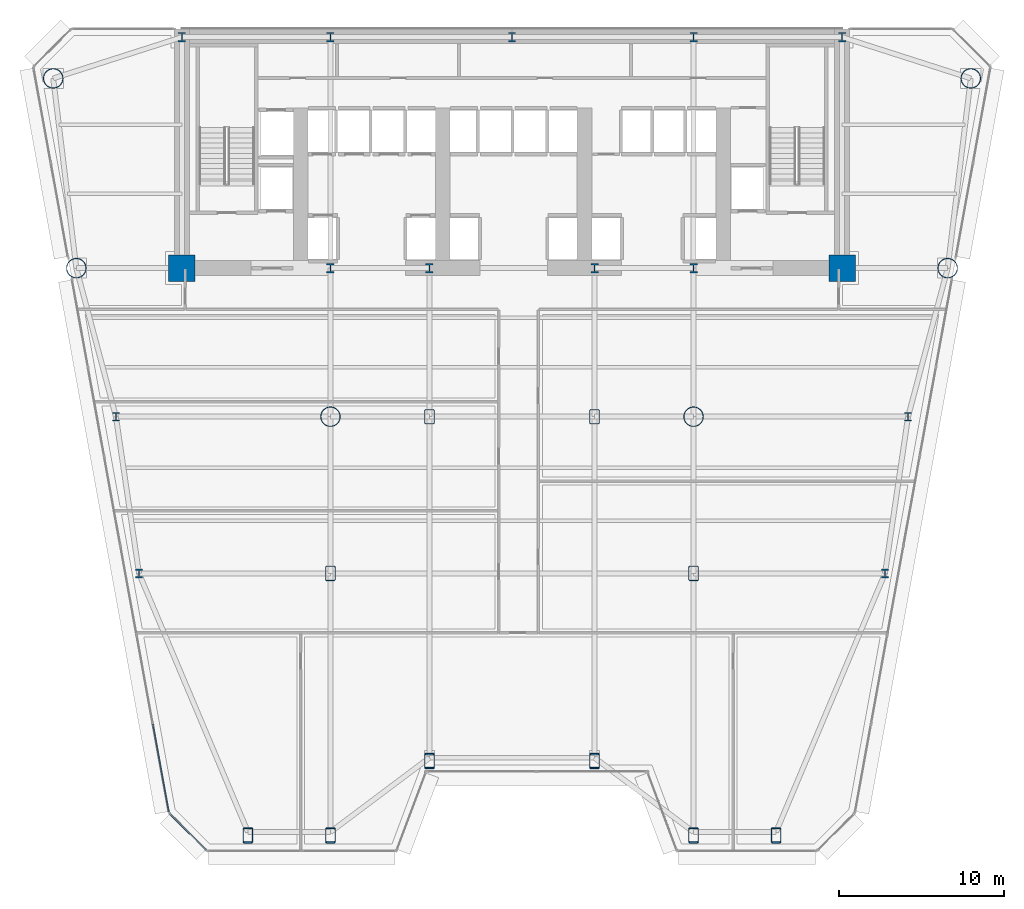
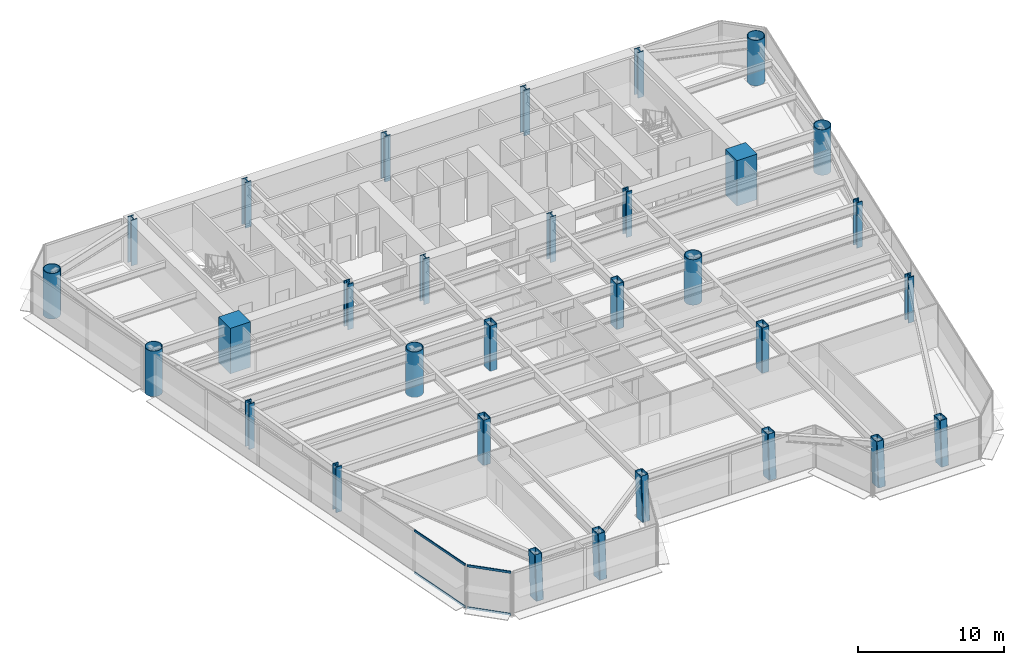
# One storey, part 1 of 14: 31 columns, 4 members, 2 elements without a shape of their own.
"""IFC4 building model written with IfcOpenShell, lengths in metres."""

from ifc_helpers import new_model, si_unit, direction, frame, origin, origin_2d, place, context, subcontext, project, spatial, rectangle, hollow_rectangle, hollow_circle, i_section, extrude, source, transform, mapped, material, layer, layer_set, material_profile, profile_set, type_object, element, aggregate, save


model = new_model("IFC4")

# Units and contexts
model_context = context("Model", 3, precision=1e-05, world=origin(), true_north=direction((0.0, 1.0)))
body_context = subcontext(model_context, "Body", "Model", "MODEL_VIEW")
ifc_project = project(units=[si_unit("LENGTHUNIT", "METRE"), si_unit("AREAUNIT", "SQUARE_METRE"), si_unit("VOLUMEUNIT", "CUBIC_METRE"), si_unit("PLANEANGLEUNIT", "RADIAN"), si_unit("MASSUNIT", "GRAM", prefix="KILO")], contexts=[model_context])

# Site, building, storey
site_placement = place(None, origin())
site = spatial("IfcSite", under=ifc_project, at=site_placement, CompositionType="ELEMENT")
building_placement = place(site_placement, origin())
building = spatial("IfcBuilding", under=site, at=building_placement, Name="Vaeldorn Concourse Tower", CompositionType="ELEMENT")
storey_placement = place(building_placement, frame((0.0, 0.0, 37.800048828125)))
storey = spatial("IfcBuildingStorey", under=building, at=storey_placement, Name="L09", CompositionType="ELEMENT", Elevation=37.800048828125)

# Columns
ifc_material_1 = material(Name="Concrete C60/75", Category="concrete")
ifc_material_profile_1 = material_profile(ifc_material_1, rectangle(XDim=1.60009765625, YDim=1.60009765625, at=origin_2d()), Name="RC 1600x1600")
ifc_profile_set_1 = profile_set([ifc_material_profile_1], Name="Concrete C60/75")
column_type_1 = type_object("IfcColumnType", Name="COL-RC1600", PredefinedType="COLUMN", material=ifc_profile_set_1)
shared_shape_1 = source(origin(), body_context, "Body", "SweptSolid", [
    extrude(rectangle(XDim=1.60009765625, YDim=1.60009765625, at=origin_2d()), origin(), (0.0, 0.0, 1.0), 3.800048828125),
])
for number, where, z_axis, x_axis, name in (
    (1, (14.0, 36.5, 0.0), (0.0, 0.0, 1.0), (1.0, 0.0, 0.0), "Column C-FC1 L09"),
    (2, (54.0, 36.5, 0.0), (0.0, 0.0, 1.0), (1.0, 0.0, 0.0), "Column C-FC6 L09"),
):
    element("IfcColumn", number, at=place(storey_placement, frame(where, z_axis=z_axis, x_axis=x_axis)), inside=storey, type_object=column_type_1, Name=name, PredefinedType="COLUMN", context=body_context, shape_type="MappedRepresentation", body=[
        mapped(shared_shape_1, transform((0.0, 0.0, 0.0), scale=1.0)),
    ])
ifc_material_2 = material(Name="Steel S460", Category="steel")
ifc_material_profile_2 = material_profile(ifc_material_2, i_section(OverallWidth=0.4541015625, OverallDepth=0.569091796875, WebThickness=0.077880859375, FlangeThickness=0.080078125, FilletRadius=0.014892578125, at=origin_2d()), Name="HD 400x1086")
ifc_profile_set_2 = profile_set([ifc_material_profile_2], Name="Steel S460")
column_type_2 = type_object("IfcColumnType", Name="COL-HD1086", PredefinedType="COLUMN", material=ifc_profile_set_2)
shared_shape_2 = source(origin(), body_context, "Body", "SweptSolid", [
    extrude(i_section(OverallWidth=0.4541015625, OverallDepth=0.569091796875, WebThickness=0.077880859375, FlangeThickness=0.080078125, FilletRadius=0.014892578125, at=origin_2d()), origin(), (0.0, 0.0, 1.0), 3.800048828125),
])
for number, where, z_axis, x_axis, name in (
    (3, (23.0, 36.5, 0.0), (0.0, 0.0, 1.0), (1.0, 0.0, 0.0), "Column C-FC2 L09"),
    (4, (29.0, 36.5, 0.0), (0.0, 0.0, 1.0), (1.0, 0.0, 0.0), "Column C-FC3 L09"),
    (5, (39.0, 36.5, 0.0), (0.0, 0.0, 1.0), (1.0, 0.0, 0.0), "Column C-FC4 L09"),
    (6, (45.0, 36.5, 0.0), (0.0, 0.0, 1.0), (1.0, 0.0, 0.0), "Column C-FC5 L09"),
    (7, (14.0, 50.5, 0.0), (0.0, 0.0, 1.0), (1.0, 0.0, 0.0), "Column C-HC1 L09"),
    (8, (23.0, 50.5, 0.0), (0.0, 0.0, 1.0), (1.0, 0.0, 0.0), "Column C-HC2 L09"),
    (9, (34.0, 50.5, 0.0), (0.0, 0.0, 1.0), (1.0, 0.0, 0.0), "Column C-HC3 L09"),
    (10, (45.0, 50.5, 0.0), (0.0, 0.0, 1.0), (1.0, 0.0, 0.0), "Column C-HC4 L09"),
    (11, (54.0, 50.5, 0.0), (0.0, 0.0, 1.0), (1.0, 0.0, 0.0), "Column C-HC5 L09"),
):
    element("IfcColumn", number, at=place(storey_placement, frame(where, z_axis=z_axis, x_axis=x_axis)), inside=storey, type_object=column_type_2, Name=name, PredefinedType="COLUMN", context=body_context, shape_type="MappedRepresentation", body=[
        mapped(shared_shape_2, transform((0.0, 0.0, 0.0), scale=1.0)),
    ])
ifc_material_profile_3 = material_profile(ifc_material_2, hollow_circle(Radius=0.609619140625, WallThickness=0.050048828125, at=origin_2d()), Name="CHS 1219x50")
ifc_profile_set_3 = profile_set([ifc_material_profile_3], Name="Steel S460")
column_type_3 = type_object("IfcColumnType", Name="COL-CHS1219", PredefinedType="COLUMN", material=ifc_profile_set_3)
shared_shape_3 = source(origin(), body_context, "Body", "SweptSolid", [
    extrude(hollow_circle(Radius=0.609619140625, WallThickness=0.050048828125, at=origin_2d()), origin(), (0.0, 0.0, 1.0), 3.800048828125),
])
for number, where, z_axis, x_axis, name in (
    (12, (6.199951171875, 48.0, 0.0), (0.0, 0.0, 1.0), (1.0, 0.0, 0.0), "Column C-NW1 L09"),
    (13, (7.60009765625, 36.5, 0.0), (0.0, 0.0, 1.0), (1.0, 0.0, 0.0), "Column C-NW2 L09"),
    (14, (61.800048828125, 48.0, 0.0), (0.0, 0.0, 1.0), (1.0, 0.0, 0.0), "Column C-NE1 L09"),
    (15, (60.39990234375, 36.5, 0.0), (0.0, 0.0, 1.0), (1.0, 0.0, 0.0), "Column C-NE2 L09"),
    (16, (23.0, 27.5, 0.0), (0.0, 0.0, 1.0), (1.0, 0.0, 0.0), "Column C-TW1 L09"),
    (17, (45.0, 27.5, 0.0), (0.0, 0.0, 1.0), (1.0, 0.0, 0.0), "Column C-TW4 L09"),
):
    element("IfcColumn", number, at=place(storey_placement, frame(where, z_axis=z_axis, x_axis=x_axis)), inside=storey, type_object=column_type_3, Name=name, PredefinedType="COLUMN", context=body_context, shape_type="MappedRepresentation", body=[
        mapped(shared_shape_3, transform((0.0, 0.0, 0.0), scale=1.0)),
    ])
ifc_material_profile_4 = material_profile(ifc_material_2, i_section(OverallWidth=0.44189453125, OverallDepth=0.531005859375, WebThickness=0.06494140625, FlangeThickness=0.075927734375, FilletRadius=0.014892578125, at=origin_2d()), Name="HD 400x900")
ifc_profile_set_4 = profile_set([ifc_material_profile_4], Name="Steel S460")
column_type_4 = type_object("IfcColumnType", Name="COL-HD900F", PredefinedType="COLUMN", material=ifc_profile_set_4)
shared_shape_4 = source(origin(), body_context, "Body", "SweptSolid", [
    extrude(i_section(OverallWidth=0.44189453125, OverallDepth=0.531005859375, WebThickness=0.06494140625, FlangeThickness=0.075927734375, FilletRadius=0.014892578125, at=origin_2d()), origin(), (0.0, 0.0, 1.0), 3.800048828125),
])
for number, where, z_axis, x_axis, name in (
    (18, (10.0, 27.5, 0.0), (0.0, 0.0, 1.0), (1.0, 0.0, 0.0), "Column C-FLW1 L09"),
    (19, (11.39990234375, 18.0, 0.0), (0.0, 0.0, 1.0), (1.0, 0.0, 0.0), "Column C-FLW2 L09"),
    (20, (58.0, 27.5, 0.0), (0.0, 0.0, 1.0), (1.0, 0.0, 0.0), "Column C-FLE1 L09"),
    (21, (56.60009765625, 18.0, 0.0), (0.0, 0.0, 1.0), (1.0, 0.0, 0.0), "Column C-FLE2 L09"),
):
    element("IfcColumn", number, at=place(storey_placement, frame(where, z_axis=z_axis, x_axis=x_axis)), inside=storey, type_object=column_type_4, Name=name, PredefinedType="COLUMN", context=body_context, shape_type="MappedRepresentation", body=[
        mapped(shared_shape_4, transform((0.0, 0.0, 0.0), scale=1.0)),
    ])
ifc_material_profile_5 = material_profile(ifc_material_2, hollow_rectangle(XDim=0.60009765625, YDim=0.89990234375, WallThickness=0.0400390625, InnerFilletRadius=0.0400390625, OuterFilletRadius=0.080078125, at=origin_2d()), Name="RHS 900x600x40")
ifc_profile_set_5 = profile_set([ifc_material_profile_5], Name="Steel S460")
column_type_5 = type_object("IfcColumnType", Name="COL-RHS900", PredefinedType="COLUMN", material=ifc_profile_set_5)
shared_shape_5 = source(origin(), body_context, "Body", "SweptSolid", [
    extrude(hollow_rectangle(XDim=0.60009765625, YDim=0.89990234375, WallThickness=0.0400390625, InnerFilletRadius=0.0400390625, OuterFilletRadius=0.080078125, at=origin_2d()), origin(), (0.0, 0.0, 1.0), 3.800048828125),
])
for number, where, z_axis, x_axis, name in (
    (22, (29.0, 27.5, 0.0), (0.0, 0.0, 1.0), (1.0, 0.0, 0.0), "Column C-TW2 L09"),
    (23, (39.0, 27.5, 0.0), (0.0, 0.0, 1.0), (1.0, 0.0, 0.0), "Column C-TW3 L09"),
    (24, (23.0, 18.0, 0.0), (0.0, 0.0, 1.0), (1.0, 0.0, 0.0), "Column C-TW5 L09"),
    (25, (45.0, 18.0, 0.0), (0.0, 0.0, 1.0), (1.0, 0.0, 0.0), "Column C-TW6 L09"),
):
    element("IfcColumn", number, at=place(storey_placement, frame(where, z_axis=z_axis, x_axis=x_axis)), inside=storey, type_object=column_type_5, Name=name, PredefinedType="COLUMN", context=body_context, shape_type="MappedRepresentation", body=[
        mapped(shared_shape_5, transform((0.0, 0.0, 0.0), scale=1.0)),
    ])
shared_shape_6 = source(origin(), body_context, "Body", "SweptSolid", [
    extrude(hollow_rectangle(XDim=0.60009765625, YDim=0.89990234375, WallThickness=0.0400390625, InnerFilletRadius=0.0400390625, OuterFilletRadius=0.080078125, at=origin_2d()), origin(), (0.0, 0.0, 1.0), 3.74365234375),
])
for number, where, z_axis, x_axis, name in (
    (26, (18.0, 2.095458984375, 0.031982421875), (0.0, 0.063843869911, 0.997959899132), (-1.0, 0.0, 0.0), "Column C-SF1 L09"),
    (27, (23.0, 2.095458984375, 0.031982421875), (0.0, 0.063843869911, 0.997959899132), (-1.0, 0.0, 0.0), "Column C-SF2 L09"),
    (28, (29.0, 6.595458984375, 0.031982421875), (0.0, 0.063843869911, 0.997959899132), (-1.0, 0.0, 0.0), "Column C-SF3 L09"),
    (29, (39.0, 6.595458984375, 0.031982421875), (0.0, 0.063843869911, 0.997959899132), (-1.0, 0.0, 0.0), "Column C-SF4 L09"),
    (30, (45.0, 2.095458984375, 0.031982421875), (0.0, 0.063843869911, 0.997959899132), (-1.0, 0.0, 0.0), "Column C-SF5 L09"),
    (31, (50.0, 2.095458984375, 0.031982421875), (0.0, 0.063843869911, 0.997959899132), (-1.0, 0.0, 0.0), "Column C-SF6 L09"),
):
    element("IfcColumn", number, at=place(storey_placement, frame(where, z_axis=z_axis, x_axis=x_axis)), inside=storey, type_object=column_type_5, Name=name, PredefinedType="COLUMN", context=body_context, shape_type="MappedRepresentation", body=[
        mapped(shared_shape_6, transform((0.0, 0.0, 0.0), scale=1.0)),
    ])

# Curtain wall, members
ifc_material_3 = material(Name="Anodised Bronze Aluminium", Category="aluminium")
ifc_layer = layer(ifc_material_3, 0.219970703125)
ifc_layer_set = layer_set([ifc_layer], Name="Anodised Bronze Aluminium")
curtain_wall_type = type_object("IfcCurtainWallType", Name="CW-SYS-01", PredefinedType="NOTDEFINED", material=ifc_layer_set)
curtain_wall_1_placement = place(storey_placement, origin())
curtain_wall_1 = element("IfcCurtainWall", 32, at=curtain_wall_1_placement, inside=storey, type_object=curtain_wall_type, Name="Unitised Curtain Wall CW-L09-E12-1", PredefinedType="NOTDEFINED")
ifc_material_profile_6 = material_profile(ifc_material_3, rectangle(XDim=0.074951171875, YDim=0.179931640625, at=origin_2d()), Name="CWT 75x180")
ifc_profile_set_6 = profile_set([ifc_material_profile_6], Name="Anodised Bronze Aluminium")
member_type = type_object("IfcMemberType", Name="CWT-BRONZE-180", PredefinedType="USERDEFINED", material=ifc_profile_set_6)
shared_shape_7 = source(origin(), body_context, "Body", "SweptSolid", [
    extrude(rectangle(XDim=0.074951171875, YDim=0.179931640625, at=origin_2d()), origin(), (0.0, 0.0, 1.0), 3.102783203125),
])
member_1_placement = place(storey_placement, frame((13.270751953125, 3.4423828125, 0.037353515625), z_axis=(0.707146122816, -0.707067437368, 0.0), x_axis=(0.707067437368, 0.707146122816, 0.0)))
member_1 = element("IfcMember", 33, at=member_1_placement, type_object=member_type, Name="CW-01 transom 1.1", ObjectType="TRANSOM", PredefinedType="USERDEFINED", context=body_context, shape_type="MappedRepresentation", body=[
    mapped(shared_shape_7, transform((0.0, 0.0, 0.0), scale=1.0)),
])
member_2_placement = place(storey_placement, frame((13.270751953125, 3.4423828125, 3.54248046875), z_axis=(0.707146122816, -0.707067437368, 0.0), x_axis=(0.707067437368, 0.707146122816, 0.0)))
member_2 = element("IfcMember", 34, at=member_2_placement, type_object=member_type, Name="CW-01 transom 1.2", ObjectType="TRANSOM", PredefinedType="USERDEFINED", context=body_context, shape_type="MappedRepresentation", body=[
    mapped(shared_shape_7, transform((0.0, 0.0, 0.0), scale=1.0)),
])
aggregate(curtain_wall_1, [member_1, member_2])

curtain_wall_2_placement = place(storey_placement, origin())
curtain_wall_2 = element("IfcCurtainWall", 35, at=curtain_wall_2_placement, inside=storey, type_object=curtain_wall_type, Name="Unitised Curtain Wall CW-L09-E11-2", PredefinedType="NOTDEFINED")
shared_shape_8 = source(origin(), body_context, "Body", "SweptSolid", [
    extrude(rectangle(XDim=0.074951171875, YDim=0.179931640625, at=origin_2d()), origin(), (0.0, 0.0, 1.0), 5.37353515625),
])
member_3_placement = place(storey_placement, frame((12.243408203125, 8.85595703125, 0.037353515625), z_axis=(0.178829462835, -0.983880085794, 0.0), x_axis=(0.983880085794, 0.178829462835, 0.0)))
member_3 = element("IfcMember", 36, at=member_3_placement, type_object=member_type, Name="CW-01 transom 6.1", ObjectType="TRANSOM", PredefinedType="USERDEFINED", context=body_context, shape_type="MappedRepresentation", body=[
    mapped(shared_shape_8, transform((0.0, 0.0, 0.0), scale=1.0)),
])
member_4_placement = place(storey_placement, frame((12.243408203125, 8.85595703125, 3.54248046875), z_axis=(0.178829462835, -0.983880085794, 0.0), x_axis=(0.983880085794, 0.178829462835, 0.0)))
member_4 = element("IfcMember", 37, at=member_4_placement, type_object=member_type, Name="CW-01 transom 6.2", ObjectType="TRANSOM", PredefinedType="USERDEFINED", context=body_context, shape_type="MappedRepresentation", body=[
    mapped(shared_shape_8, transform((0.0, 0.0, 0.0), scale=1.0)),
])
aggregate(curtain_wall_2, [member_3, member_4])

save(model, "model.ifc")
